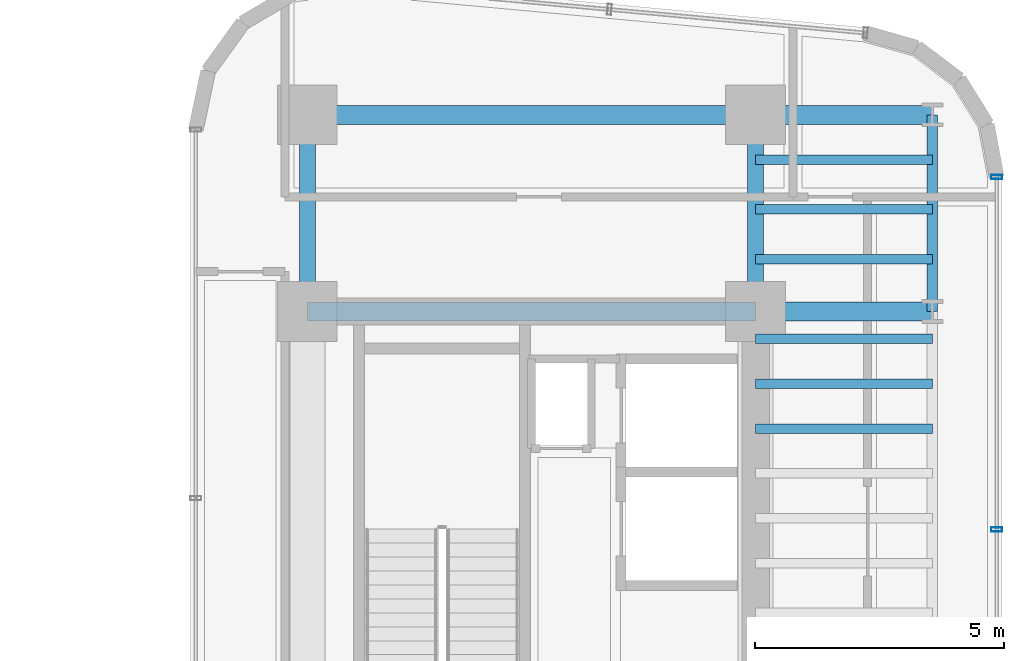
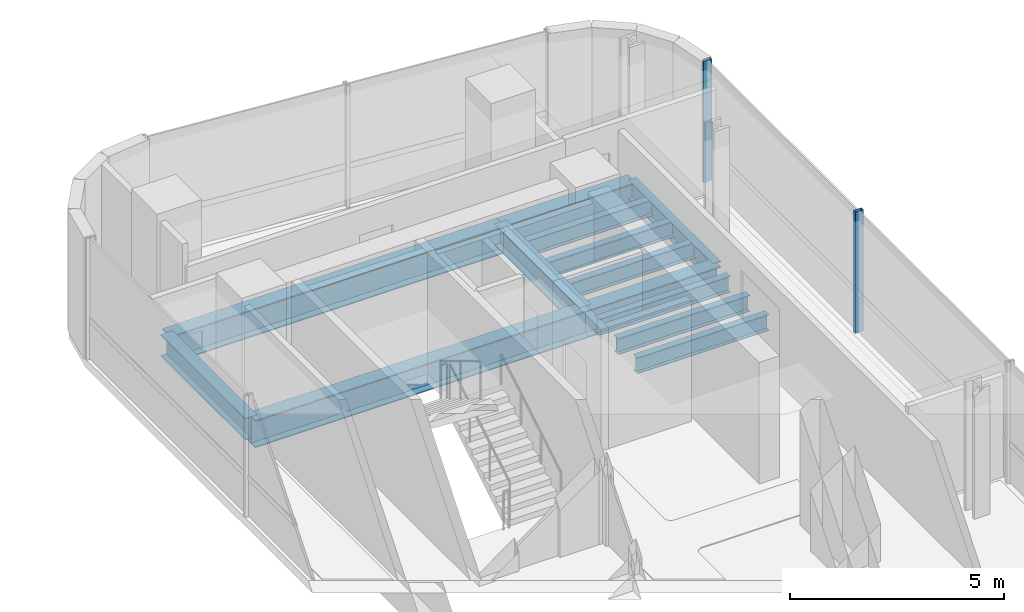
# One storey, part 18 of 34: 13 beams, 2 members, 1 element without a shape of its own.
"""IFC4 building model written with IfcOpenShell, lengths in metres."""

from ifc_helpers import new_model, si_unit, direction, frame, origin, origin_2d, place, context, subcontext, project, spatial, hollow_rectangle, i_section, extrude, source, transform, mapped, material, material_profile, profile_set, type_object, element, aggregate, save


model = new_model("IFC4")

# Units and contexts
model_context = context("Model", 3, precision=1e-05, world=origin(), true_north=direction((0.0, 1.0)))
body_context = subcontext(model_context, "Body", "Model", "MODEL_VIEW")
ifc_project = project(units=[si_unit("LENGTHUNIT", "METRE"), si_unit("AREAUNIT", "SQUARE_METRE"), si_unit("VOLUMEUNIT", "CUBIC_METRE"), si_unit("PLANEANGLEUNIT", "RADIAN"), si_unit("MASSUNIT", "GRAM", prefix="KILO")], contexts=[model_context])

# Site, building, storey
site_placement = place(None, origin())
site = spatial("IfcSite", under=ifc_project, at=site_placement, CompositionType="ELEMENT")
building_placement = place(site_placement, origin())
building = spatial("IfcBuilding", under=site, at=building_placement, Name="Valdorenza Pilgrim Sanctuary Tower", CompositionType="ELEMENT")
storey_placement = place(building_placement, frame((0.0, 0.0, 161.199951171875)))
storey = spatial("IfcBuildingStorey", under=building, at=storey_placement, Name="L41", CompositionType="ELEMENT", Elevation=161.199951171875)

# Beams
ifc_material_1 = material(Name="Steel ASTM A992 Grade 50", Category="steel")
ifc_material_profile_1 = material_profile(ifc_material_1, i_section(OverallWidth=0.323974609375, OverallDepth=0.611083984375, WebThickness=0.0126953125, FlangeThickness=0.01904296875, at=origin_2d()), Name="W24X104")
ifc_profile_set_1 = profile_set([ifc_material_profile_1], Name="Steel ASTM A992 Grade 50")
beam_type_1 = type_object("IfcBeamType", Name="STR-BM-GRD-W24B", PredefinedType="BEAM", material=ifc_profile_set_1)
shared_shape_1 = source(origin(), body_context, "Body", "SweptSolid", [
    extrude(i_section(OverallWidth=0.323974609375, OverallDepth=0.611083984375, WebThickness=0.0126953125, FlangeThickness=0.01904296875, at=origin_2d()), origin(), (0.0, 0.0, 1.0), 3.949951171875),
])
for number, where, z_axis, x_axis, name in (
    (1, (15.85009765625, 9.550048828125, -0.54541015625), (0.0, 1.0, 0.0), (-1.0, 0.0, 0.0), "L41 Core Tie Girder CB-W-N1N2"),
    (2, (24.85009765625, 9.550048828125, -0.54541015625), (0.0, 1.0, 0.0), (-1.0, 0.0, 0.0), "L41 Core Tie Girder CB-E-N1N2"),
):
    element("IfcBeam", number, at=place(storey_placement, frame(where, z_axis=z_axis, x_axis=x_axis)), inside=storey, type_object=beam_type_1, Name=name, PredefinedType="BEAM", context=body_context, shape_type="MappedRepresentation", body=[
        mapped(shared_shape_1, transform((0.0, 0.0, 0.0), x_axis=(1.0, 0.0, 0.0), y_axis=(0.0, 1.0, 0.0), z_axis=(0.0, 0.0, 1.0), scale=1.0)),
    ])
ifc_material_profile_2 = material_profile(ifc_material_1, i_section(OverallWidth=0.214111328125, OverallDepth=0.549072265625, WebThickness=0.0146484375, FlangeThickness=0.023681640625, at=origin_2d()), Name="W21X93")
ifc_profile_set_2 = profile_set([ifc_material_profile_2], Name="Steel ASTM A992 Grade 50")
beam_type_2 = type_object("IfcBeamType", Name="STR-BM-SPN-W21A", PredefinedType="SPANDREL", material=ifc_profile_set_2)
shared_shape_2 = source(origin(), body_context, "Body", "SweptSolid", [
    extrude(i_section(OverallWidth=0.214111328125, OverallDepth=0.549072265625, WebThickness=0.0146484375, FlangeThickness=0.023681640625, at=origin_2d()), origin(), (0.0, 0.0, 1.0), 3.949951171875),
])
beam_placement = place(storey_placement, frame((28.39990234375, 9.550048828125, -0.514404296875), z_axis=(0.0, 1.0, 0.0), x_axis=(-1.0, 0.0, 0.0)))
element("IfcBeam", 3, at=beam_placement, inside=storey, type_object=beam_type_2, Name="L41 Spandrel Beam WB-E-N1N2", PredefinedType="SPANDREL", context=body_context, shape_type="MappedRepresentation", body=[
    mapped(shared_shape_2, transform((0.0, 0.0, 0.0), x_axis=(1.0, 0.0, 0.0), y_axis=(0.0, 1.0, 0.0), z_axis=(0.0, 0.0, 1.0), scale=1.0)),
])
ifc_material_profile_3 = material_profile(ifc_material_1, i_section(OverallWidth=0.382080078125, OverallDepth=0.779052734375, WebThickness=0.01806640625, FlangeThickness=0.030029296875, at=origin_2d()), Name="W30X191")
ifc_profile_set_3 = profile_set([ifc_material_profile_3], Name="Steel ASTM A992 Grade 50")
beam_type_3 = type_object("IfcBeamType", Name="STR-BM-GRD-W30", PredefinedType="BEAM", material=ifc_profile_set_3)
shared_shape_3 = source(origin(), body_context, "Body", "SweptSolid", [
    extrude(i_section(OverallWidth=0.382080078125, OverallDepth=0.779052734375, WebThickness=0.01806640625, FlangeThickness=0.030029296875, at=origin_2d()), origin(), (0.0, 0.0, 1.0), 9.0),
])
for number, where, z_axis, x_axis, name in (
    (4, (15.85009765625, 9.550048828125, -0.62939453125), (1.0, 0.0, 0.0), (0.0, 1.0, 0.0), "L41 Floor Girder CB-XC-N1"),
    (5, (15.85009765625, 13.5, -0.62939453125), (1.0, 0.0, 0.0), (0.0, 1.0, 0.0), "L41 Floor Girder CB-XC-N2"),
):
    element("IfcBeam", number, at=place(storey_placement, frame(where, z_axis=z_axis, x_axis=x_axis)), inside=storey, type_object=beam_type_3, Name=name, PredefinedType="BEAM", context=body_context, shape_type="MappedRepresentation", body=[
        mapped(shared_shape_3, transform((0.0, 0.0, 0.0), x_axis=(1.0, 0.0, 0.0), y_axis=(0.0, 1.0, 0.0), z_axis=(0.0, 0.0, 1.0), scale=1.0)),
    ])
shared_shape_4 = source(origin(), body_context, "Body", "SweptSolid", [
    extrude(i_section(OverallWidth=0.382080078125, OverallDepth=0.779052734375, WebThickness=0.01806640625, FlangeThickness=0.030029296875, at=origin_2d()), origin(), (0.0, 0.0, 1.0), 3.5498046875),
])
for number, where, z_axis, x_axis, name in (
    (6, (24.85009765625, 9.550048828125, -0.62939453125), (1.0, 0.0, 0.0), (0.0, 1.0, 0.0), "L41 Floor Girder WB-XE-N1"),
    (7, (24.85009765625, 13.5, -0.62939453125), (1.0, 0.0, 0.0), (0.0, 1.0, 0.0), "L41 Floor Girder WB-XE-N2"),
):
    element("IfcBeam", number, at=place(storey_placement, frame(where, z_axis=z_axis, x_axis=x_axis)), inside=storey, type_object=beam_type_3, Name=name, PredefinedType="BEAM", context=body_context, shape_type="MappedRepresentation", body=[
        mapped(shared_shape_4, transform((0.0, 0.0, 0.0), x_axis=(1.0, 0.0, 0.0), y_axis=(0.0, 1.0, 0.0), z_axis=(0.0, 0.0, 1.0), scale=1.0)),
    ])
ifc_material_profile_4 = material_profile(ifc_material_1, i_section(OverallWidth=0.19091796875, OverallDepth=0.45703125, WebThickness=0.009033203125, FlangeThickness=0.014404296875, at=origin_2d()), Name="W18X50")
ifc_profile_set_4 = profile_set([ifc_material_profile_4], Name="Steel ASTM A992 Grade 50")
beam_type_4 = type_object("IfcBeamType", Name="STR-BM-JST-W18B", PredefinedType="JOIST", material=ifc_profile_set_4)
shared_shape_5 = source(origin(), body_context, "Body", "SweptSolid", [
    extrude(i_section(OverallWidth=0.19091796875, OverallDepth=0.45703125, WebThickness=0.009033203125, FlangeThickness=0.014404296875, at=origin_2d()), origin(), (0.0, 0.0, 1.0), 3.5498046875),
])
for number, where, z_axis, x_axis, name in (
    (8, (24.85009765625, 7.199951171875, -0.468505859375), (1.0, 0.0, 0.0), (0.0, 1.0, 0.0), "L41 Composite Floor Joist JST-WB-16"),
    (9, (24.85009765625, 8.10009765625, -0.468505859375), (1.0, 0.0, 0.0), (0.0, 1.0, 0.0), "L41 Composite Floor Joist JST-WB-17"),
    (10, (24.85009765625, 9.0, -0.468505859375), (1.0, 0.0, 0.0), (0.0, 1.0, 0.0), "L41 Composite Floor Joist JST-WB-18"),
    (11, (24.85009765625, 10.60009765625, -0.468505859375), (1.0, 0.0, 0.0), (0.0, 1.0, 0.0), "L41 Composite Floor Joist JST-WB-19"),
    (12, (24.85009765625, 11.60009765625, -0.468505859375), (1.0, 0.0, 0.0), (0.0, 1.0, 0.0), "L41 Composite Floor Joist JST-WB-20"),
    (13, (24.85009765625, 12.60009765625, -0.468505859375), (1.0, 0.0, 0.0), (0.0, 1.0, 0.0), "L41 Composite Floor Joist JST-WB-21"),
):
    element("IfcBeam", number, at=place(storey_placement, frame(where, z_axis=z_axis, x_axis=x_axis)), inside=storey, type_object=beam_type_4, Name=name, PredefinedType="JOIST", context=body_context, shape_type="MappedRepresentation", body=[
        mapped(shared_shape_5, transform((0.0, 0.0, 0.0), x_axis=(1.0, 0.0, 0.0), y_axis=(0.0, 1.0, 0.0), z_axis=(0.0, 0.0, 1.0), scale=1.0)),
    ])

# Curtain wall, members
ifc_material_2 = material(Name="Curtain-wall IGU glazing", Category="glass")
curtain_wall_type = type_object("IfcCurtainWallType", Name="CW-SYS-03", PredefinedType="NOTDEFINED", material=ifc_material_2)
curtain_wall_placement = place(storey_placement, origin())
curtain_wall = element("IfcCurtainWall", 14, at=curtain_wall_placement, inside=storey, type_object=curtain_wall_type, Name="L41 Curtain Wall CW-L41-2-11", PredefinedType="NOTDEFINED")
ifc_material_3 = material(Name="Anodised aluminium AW-6060", Category="aluminium")
ifc_material_profile_5 = material_profile(ifc_material_3, hollow_rectangle(XDim=0.0849609375, YDim=0.219970703125, WallThickness=0.0048828125, at=origin_2d()), Name="ALU-M 220x85x5")
ifc_profile_set_5 = profile_set([ifc_material_profile_5], Name="Anodised aluminium AW-6060")
member_type = type_object("IfcMemberType", Name="CW-MUL-03", PredefinedType="MULLION", material=ifc_profile_set_5)
shared_shape_6 = source(origin(), body_context, "Body", "SweptSolid", [
    extrude(hollow_rectangle(XDim=0.0849609375, YDim=0.219970703125, WallThickness=0.0048828125, at=origin_2d()), origin(), (0.0, 0.0, 1.0), 3.4599609375),
])
member_1_placement = place(storey_placement, frame((29.68994140625, 12.253173828125, 0.0), z_axis=(0.0, 0.0, 1.0), x_axis=(0.0, -1.0, 0.0)))
member_1 = element("IfcMember", 15, at=member_1_placement, type_object=member_type, Name="CW-L41-2-11 Mullion 1", PredefinedType="MULLION", context=body_context, shape_type="MappedRepresentation", body=[
    mapped(shared_shape_6, transform((0.0, 0.0, 0.0), x_axis=(1.0, 0.0, 0.0), y_axis=(0.0, 1.0, 0.0), z_axis=(0.0, 0.0, 1.0), scale=1.0)),
])
member_2_placement = place(storey_placement, frame((29.68994140625, 5.17236328125, 0.0), z_axis=(0.0, 0.0, 1.0), x_axis=(0.0, -1.0, 0.0)))
member_2 = element("IfcMember", 16, at=member_2_placement, type_object=member_type, Name="CW-L41-2-11 Mullion 2", PredefinedType="MULLION", context=body_context, shape_type="MappedRepresentation", body=[
    mapped(shared_shape_6, transform((0.0, 0.0, 0.0), x_axis=(1.0, 0.0, 0.0), y_axis=(0.0, 1.0, 0.0), z_axis=(0.0, 0.0, 1.0), scale=1.0)),
])
aggregate(curtain_wall, [member_1, member_2])

save(model, "model.ifc")
